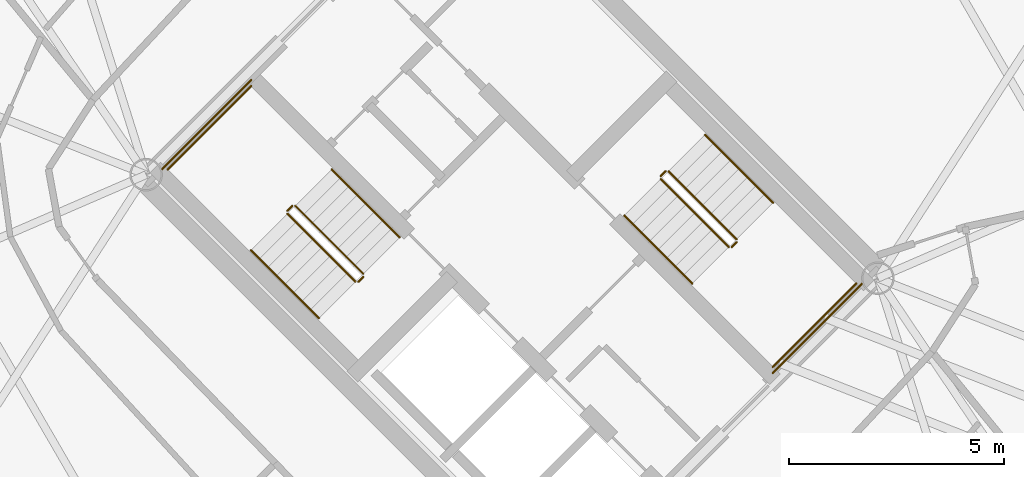
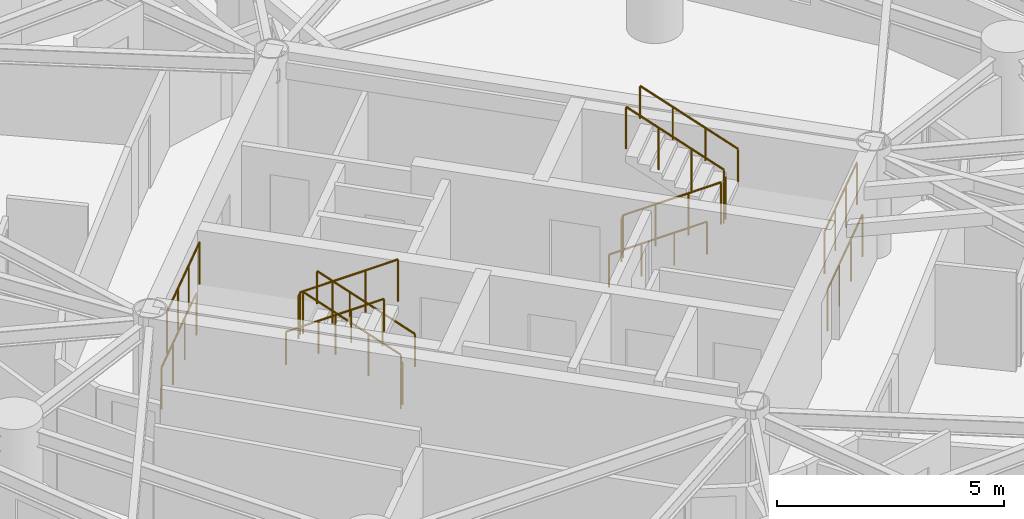
# One storey, part 17 of 17: 16 railings.
"""IFC4 building model written with IfcOpenShell, lengths in metres."""

from ifc_helpers import new_model, si_unit, direction, frame, origin, origin_2d, place, context, subcontext, project, spatial, circle, extrude, material, type_object, element, save


model = new_model("IFC4")

# Units and contexts
model_context = context("Model", 3, precision=1e-05, world=origin(), true_north=direction((0.0, 1.0)))
body_context = subcontext(model_context, "Body", "Model", "MODEL_VIEW")
ifc_project = project(units=[si_unit("LENGTHUNIT", "METRE"), si_unit("AREAUNIT", "SQUARE_METRE"), si_unit("VOLUMEUNIT", "CUBIC_METRE"), si_unit("PLANEANGLEUNIT", "RADIAN"), si_unit("MASSUNIT", "GRAM", prefix="KILO")], contexts=[model_context])

# Site, building, storey
site_placement = place(None, origin())
site = spatial("IfcSite", under=ifc_project, at=site_placement, CompositionType="ELEMENT")
building_placement = place(site_placement, origin())
building = spatial("IfcBuilding", under=site, at=building_placement, Name="Cununo Teusaquillo Station Towers", CompositionType="ELEMENT")
storey_placement = place(building_placement, frame((0.0, 0.0, 183.610107421875)))
storey = spatial("IfcBuildingStorey", under=building, at=storey_placement, Name="L58", CompositionType="ELEMENT", Elevation=183.610107421875)

# Railings
ifc_material_1 = material(Name="Steel EN 10025-2 S355J2", Category="steel")
railing_type_1 = type_object("IfcRailingType", Name="RL-INT-GUARD", PredefinedType="GUARDRAIL", material=ifc_material_1)
railing_1_placement = place(storey_placement, frame((54.03515625, 23.39697265625, 0.16162109375)))
element("IfcRailing", 1, at=railing_1_placement, inside=storey, type_object=railing_type_1, Name="L58 ST-T2-1 stair guard 1", PredefinedType="GUARDRAIL", context=body_context, shape_type="SweptSolid", body=[
    extrude(circle(Radius=0.02392578125, at=origin_2d()), frame((0.0, 0.0, 1.1259765625), z_axis=(-0.612361259024, 0.612361259024, 0.500027376144), x_axis=(-0.707106781187, -0.707106781187, 0.0)), (0.0, 0.0, 1.0), 2.586181640625),
    extrude(circle(Radius=0.02099609375, at=origin_2d()), origin(), (0.0, 0.0, 1.0), 1.101806640625),
    extrude(circle(Radius=0.02099609375, at=origin_2d()), frame((-0.52783203125, 0.52783203125, 0.43115234375)), (0.0, 0.0, 1.0), 1.101806640625),
    extrude(circle(Radius=0.02099609375, at=origin_2d()), frame((-1.055908203125, 1.055908203125, 0.862060546875)), (0.0, 0.0, 1.0), 1.101806640625),
    extrude(circle(Radius=0.02099609375, at=origin_2d()), frame((-1.583740234375, 1.583740234375, 1.293212890625)), (0.0, 0.0, 1.0), 1.101806640625),
])
railing_2_placement = place(storey_placement, frame((52.380615234375, 24.980712890625, 1.454833984375)))
element("IfcRailing", 2, at=railing_2_placement, inside=storey, type_object=railing_type_1, Name="L58 ST-T2-1 stair guard 2", PredefinedType="GUARDRAIL", context=body_context, shape_type="SweptSolid", body=[
    extrude(circle(Radius=0.02392578125, at=origin_2d()), frame((0.0, 0.0, 1.1259765625), z_axis=(-0.7078691598, -0.706343579714, 0.0), x_axis=(0.706343579714, -0.7078691598, 0.0)), (0.0, 0.0, 1.0), 0.159912109375),
    extrude(circle(Radius=0.02099609375, at=origin_2d()), origin(), (0.0, 0.0, 1.0), 1.101806640625),
    extrude(circle(Radius=0.02099609375, at=origin_2d()), frame((-0.11328125, -0.113037109375, 0.0)), (0.0, 0.0, 1.0), 1.101806640625),
])
railing_3_placement = place(storey_placement, frame((51.426025390625, 27.77392578125, 1.454833984375)))
element("IfcRailing", 3, at=railing_3_placement, inside=storey, type_object=railing_type_1, Name="L58 ST-T2-1 stair guard 3", PredefinedType="GUARDRAIL", context=body_context, shape_type="SweptSolid", body=[
    extrude(circle(Radius=0.02392578125, at=origin_2d()), frame((0.0, 0.0, 1.1259765625), z_axis=(-0.707106781187, -0.707106781187, 0.0), x_axis=(0.707106781187, -0.707106781187, 0.0)), (0.0, 0.0, 1.0), 2.760009765625),
    extrude(circle(Radius=0.02099609375, at=origin_2d()), origin(), (0.0, 0.0, 1.0), 1.101806640625),
    extrude(circle(Radius=0.02099609375, at=origin_2d()), frame((-0.650634765625, -0.650634765625, 0.0)), (0.0, 0.0, 1.0), 1.101806640625),
    extrude(circle(Radius=0.02099609375, at=origin_2d()), frame((-1.301025390625, -1.301025390625, 0.0)), (0.0, 0.0, 1.0), 1.101806640625),
    extrude(circle(Radius=0.02099609375, at=origin_2d()), frame((-1.95166015625, -1.95166015625, 0.0)), (0.0, 0.0, 1.0), 1.101806640625),
])
railing_4_placement = place(storey_placement, frame((52.267333984375, 24.796875, 1.616455078125)))
element("IfcRailing", 4, at=railing_4_placement, inside=storey, type_object=railing_type_1, Name="L58 ST-T2-1 stair guard 4", PredefinedType="GUARDRAIL", context=body_context, shape_type="SweptSolid", body=[
    extrude(circle(Radius=0.02392578125, at=origin_2d()), frame((0.0, 0.0, 1.1259765625), z_axis=(0.612391349474, -0.612296961165, 0.500069261639), x_axis=(0.707052281454, 0.707161276719, 0.0)), (0.0, 0.0, 1.0), 2.586669921875),
    extrude(circle(Radius=0.02099609375, at=origin_2d()), origin(), (0.0, 0.0, 1.0), 1.101806640625),
    extrude(circle(Radius=0.02099609375, at=origin_2d()), frame((0.528076171875, -0.52783203125, 0.43115234375)), (0.0, 0.0, 1.0), 1.101806640625),
    extrude(circle(Radius=0.02099609375, at=origin_2d()), frame((1.055908203125, -1.055908203125, 0.8623046875)), (0.0, 0.0, 1.0), 1.101806640625),
    extrude(circle(Radius=0.02099609375, at=origin_2d()), frame((1.583984375, -1.583740234375, 1.29345703125)), (0.0, 0.0, 1.0), 1.101806640625),
])
railing_5_placement = place(storey_placement, frame((54.03515625, 23.326171875, 0.0)))
element("IfcRailing", 5, at=railing_5_placement, inside=storey, type_object=railing_type_1, Name="L58 ST-T2-1 stair guard 5", PredefinedType="GUARDRAIL", context=body_context, shape_type="SweptSolid", body=[
    extrude(circle(Radius=0.02392578125, at=origin_2d()), frame((0.0, 0.0, 1.1259765625), z_axis=(-0.707106781187, -0.707106781187, 0.0), x_axis=(0.707106781187, -0.707106781187, 0.0)), (0.0, 0.0, 1.0), 0.159912109375),
    extrude(circle(Radius=0.02099609375, at=origin_2d()), origin(), (0.0, 0.0, 1.0), 1.101806640625),
    extrude(circle(Radius=0.02099609375, at=origin_2d()), frame((-0.113037109375, -0.113037109375, 0.0)), (0.0, 0.0, 1.0), 1.101806640625),
])
railing_6_placement = place(storey_placement, frame((51.426025390625, 27.915283203125, 0.0)))
element("IfcRailing", 6, at=railing_6_placement, inside=storey, type_object=railing_type_1, Name="L58 ST-T2-1 stair guard 6", PredefinedType="GUARDRAIL", context=body_context, shape_type="SweptSolid", body=[
    extrude(circle(Radius=0.02392578125, at=origin_2d()), frame((0.0, 0.0, 1.1259765625), z_axis=(-0.707106781187, -0.707106781187, 0.0), x_axis=(0.707106781187, -0.707106781187, 0.0)), (0.0, 0.0, 1.0), 2.9599609375),
    extrude(circle(Radius=0.02099609375, at=origin_2d()), origin(), (0.0, 0.0, 1.0), 1.101806640625),
    extrude(circle(Radius=0.02099609375, at=origin_2d()), frame((-0.69775390625, -0.69775390625, 0.0)), (0.0, 0.0, 1.0), 1.101806640625),
    extrude(circle(Radius=0.02099609375, at=origin_2d()), frame((-1.395263671875, -1.395263671875, 0.0)), (0.0, 0.0, 1.0), 1.101806640625),
    extrude(circle(Radius=0.02099609375, at=origin_2d()), frame((-2.093017578125, -2.093017578125, 0.0)), (0.0, 0.0, 1.0), 1.101806640625),
])
railing_7_placement = place(storey_placement, frame((60.96484375, 25.60302734375, 0.16162109375)))
element("IfcRailing", 7, at=railing_7_placement, inside=storey, type_object=railing_type_1, Name="L58 ST-T2-2 stair guard 1", PredefinedType="GUARDRAIL", context=body_context, shape_type="SweptSolid", body=[
    extrude(circle(Radius=0.02392578125, at=origin_2d()), frame((0.0, 0.0, 1.1259765625), z_axis=(0.612361259024, -0.612361259024, 0.500027376144), x_axis=(0.707106781187, 0.707106781187, 0.0)), (0.0, 0.0, 1.0), 2.586181640625),
    extrude(circle(Radius=0.02099609375, at=origin_2d()), origin(), (0.0, 0.0, 1.0), 1.101806640625),
    extrude(circle(Radius=0.02099609375, at=origin_2d()), frame((0.52783203125, -0.52783203125, 0.43115234375)), (0.0, 0.0, 1.0), 1.101806640625),
    extrude(circle(Radius=0.02099609375, at=origin_2d()), frame((1.055908203125, -1.055908203125, 0.862060546875)), (0.0, 0.0, 1.0), 1.101806640625),
    extrude(circle(Radius=0.02099609375, at=origin_2d()), frame((1.583740234375, -1.583740234375, 1.293212890625)), (0.0, 0.0, 1.0), 1.101806640625),
])
railing_8_placement = place(storey_placement, frame((62.619384765625, 24.019287109375, 1.454833984375)))
element("IfcRailing", 8, at=railing_8_placement, inside=storey, type_object=railing_type_1, Name="L58 ST-T2-2 stair guard 2", PredefinedType="GUARDRAIL", context=body_context, shape_type="SweptSolid", body=[
    extrude(circle(Radius=0.02392578125, at=origin_2d()), frame((0.0, 0.0, 1.1259765625), z_axis=(0.7078691598, 0.706343579714, 0.0), x_axis=(-0.706343579714, 0.7078691598, 0.0)), (0.0, 0.0, 1.0), 0.159912109375),
    extrude(circle(Radius=0.02099609375, at=origin_2d()), origin(), (0.0, 0.0, 1.0), 1.101806640625),
    extrude(circle(Radius=0.02099609375, at=origin_2d()), frame((0.11328125, 0.113037109375, 0.0)), (0.0, 0.0, 1.0), 1.101806640625),
])
railing_9_placement = place(storey_placement, frame((63.573974609375, 21.22607421875, 1.454833984375)))
element("IfcRailing", 9, at=railing_9_placement, inside=storey, type_object=railing_type_1, Name="L58 ST-T2-2 stair guard 3", PredefinedType="GUARDRAIL", context=body_context, shape_type="SweptSolid", body=[
    extrude(circle(Radius=0.02392578125, at=origin_2d()), frame((0.0, 0.0, 1.1259765625), z_axis=(0.707106781187, 0.707106781187, 0.0), x_axis=(-0.707106781187, 0.707106781187, 0.0)), (0.0, 0.0, 1.0), 2.760009765625),
    extrude(circle(Radius=0.02099609375, at=origin_2d()), origin(), (0.0, 0.0, 1.0), 1.101806640625),
    extrude(circle(Radius=0.02099609375, at=origin_2d()), frame((0.650634765625, 0.650634765625, 0.0)), (0.0, 0.0, 1.0), 1.101806640625),
    extrude(circle(Radius=0.02099609375, at=origin_2d()), frame((1.301025390625, 1.301025390625, 0.0)), (0.0, 0.0, 1.0), 1.101806640625),
    extrude(circle(Radius=0.02099609375, at=origin_2d()), frame((1.95166015625, 1.95166015625, 0.0)), (0.0, 0.0, 1.0), 1.101806640625),
])
railing_10_placement = place(storey_placement, frame((62.732666015625, 24.203125, 1.616455078125)))
element("IfcRailing", 10, at=railing_10_placement, inside=storey, type_object=railing_type_1, Name="L58 ST-T2-2 stair guard 4", PredefinedType="GUARDRAIL", context=body_context, shape_type="SweptSolid", body=[
    extrude(circle(Radius=0.02392578125, at=origin_2d()), frame((0.0, 0.0, 1.1259765625), z_axis=(-0.612391349474, 0.612296961165, 0.500069261639), x_axis=(-0.707052281454, -0.707161276719, 0.0)), (0.0, 0.0, 1.0), 2.586669921875),
    extrude(circle(Radius=0.02099609375, at=origin_2d()), origin(), (0.0, 0.0, 1.0), 1.101806640625),
    extrude(circle(Radius=0.02099609375, at=origin_2d()), frame((-0.528076171875, 0.52783203125, 0.43115234375)), (0.0, 0.0, 1.0), 1.101806640625),
    extrude(circle(Radius=0.02099609375, at=origin_2d()), frame((-1.055908203125, 1.055908203125, 0.8623046875)), (0.0, 0.0, 1.0), 1.101806640625),
    extrude(circle(Radius=0.02099609375, at=origin_2d()), frame((-1.583984375, 1.583740234375, 1.29345703125)), (0.0, 0.0, 1.0), 1.101806640625),
])
railing_11_placement = place(storey_placement, frame((60.96484375, 25.673828125, 0.0)))
element("IfcRailing", 11, at=railing_11_placement, inside=storey, type_object=railing_type_1, Name="L58 ST-T2-2 stair guard 5", PredefinedType="GUARDRAIL", context=body_context, shape_type="SweptSolid", body=[
    extrude(circle(Radius=0.02392578125, at=origin_2d()), frame((0.0, 0.0, 1.1259765625), z_axis=(0.707106781187, 0.707106781187, 0.0), x_axis=(-0.707106781187, 0.707106781187, 0.0)), (0.0, 0.0, 1.0), 0.159912109375),
    extrude(circle(Radius=0.02099609375, at=origin_2d()), origin(), (0.0, 0.0, 1.0), 1.101806640625),
    extrude(circle(Radius=0.02099609375, at=origin_2d()), frame((0.113037109375, 0.113037109375, 0.0)), (0.0, 0.0, 1.0), 1.101806640625),
])
railing_12_placement = place(storey_placement, frame((63.573974609375, 21.084716796875, 0.0)))
element("IfcRailing", 12, at=railing_12_placement, inside=storey, type_object=railing_type_1, Name="L58 ST-T2-2 stair guard 6", PredefinedType="GUARDRAIL", context=body_context, shape_type="SweptSolid", body=[
    extrude(circle(Radius=0.02392578125, at=origin_2d()), frame((0.0, 0.0, 1.1259765625), z_axis=(0.707106781187, 0.707106781187, 0.0), x_axis=(-0.707106781187, 0.707106781187, 0.0)), (0.0, 0.0, 1.0), 2.9599609375),
    extrude(circle(Radius=0.02099609375, at=origin_2d()), origin(), (0.0, 0.0, 1.0), 1.101806640625),
    extrude(circle(Radius=0.02099609375, at=origin_2d()), frame((0.69775390625, 0.69775390625, 0.0)), (0.0, 0.0, 1.0), 1.101806640625),
    extrude(circle(Radius=0.02099609375, at=origin_2d()), frame((1.395263671875, 1.395263671875, 0.0)), (0.0, 0.0, 1.0), 1.101806640625),
    extrude(circle(Radius=0.02099609375, at=origin_2d()), frame((2.093017578125, 2.093017578125, 0.0)), (0.0, 0.0, 1.0), 1.101806640625),
])
ifc_material_2 = material(Name="Steel EN 10025-2 S355J2", Category="steel")
railing_type_2 = type_object("IfcRailingType", Name="RL-INT-HRAIL", PredefinedType="HANDRAIL", material=ifc_material_2)
railing_13_placement = place(storey_placement, frame((54.8837890625, 24.245361328125, 0.16162109375)))
element("IfcRailing", 13, at=railing_13_placement, inside=storey, type_object=railing_type_2, Name="L58 ST-T2-1 stair handrail 1", PredefinedType="HANDRAIL", context=body_context, shape_type="SweptSolid", body=[
    extrude(circle(Radius=0.02392578125, at=origin_2d()), frame((0.0, 0.0, 0.8759765625), z_axis=(-0.612384857071, 0.612384857071, 0.499969572735), x_axis=(-0.707106781187, -0.707106781187, 0.0)), (0.0, 0.0, 1.0), 2.586669921875),
    extrude(circle(Radius=0.02099609375, at=origin_2d()), origin(), (0.0, 0.0, 1.0), 0.851806640625),
    extrude(circle(Radius=0.02099609375, at=origin_2d()), frame((-0.528076171875, 0.528076171875, 0.43115234375)), (0.0, 0.0, 1.0), 0.851806640625),
    extrude(circle(Radius=0.02099609375, at=origin_2d()), frame((-1.055908203125, 1.055908203125, 0.862060546875)), (0.0, 0.0, 1.0), 0.851806640625),
    extrude(circle(Radius=0.02099609375, at=origin_2d()), frame((-1.583984375, 1.583984375, 1.293212890625)), (0.0, 0.0, 1.0), 0.851806640625),
])
railing_14_placement = place(storey_placement, frame((51.4189453125, 23.948486328125, 1.616455078125)))
element("IfcRailing", 14, at=railing_14_placement, inside=storey, type_object=railing_type_2, Name="L58 ST-T2-1 stair handrail 2", PredefinedType="HANDRAIL", context=body_context, shape_type="SweptSolid", body=[
    extrude(circle(Radius=0.02392578125, at=origin_2d()), frame((0.0, 0.0, 0.8759765625), z_axis=(0.612355957468, -0.612355957468, 0.500040361077), x_axis=(0.707106781187, 0.707106781187, 0.0)), (0.0, 0.0, 1.0), 2.586669921875),
    extrude(circle(Radius=0.02099609375, at=origin_2d()), origin(), (0.0, 0.0, 1.0), 0.851806640625),
    extrude(circle(Radius=0.02099609375, at=origin_2d()), frame((0.528076171875, -0.528076171875, 0.43115234375)), (0.0, 0.0, 1.0), 0.851806640625),
    extrude(circle(Radius=0.02099609375, at=origin_2d()), frame((1.055908203125, -1.055908203125, 0.8623046875)), (0.0, 0.0, 1.0), 0.851806640625),
    extrude(circle(Radius=0.02099609375, at=origin_2d()), frame((1.583984375, -1.583984375, 1.29345703125)), (0.0, 0.0, 1.0), 0.851806640625),
])
railing_15_placement = place(storey_placement, frame((60.1162109375, 24.754638671875, 0.16162109375)))
element("IfcRailing", 15, at=railing_15_placement, inside=storey, type_object=railing_type_2, Name="L58 ST-T2-2 stair handrail 1", PredefinedType="HANDRAIL", context=body_context, shape_type="SweptSolid", body=[
    extrude(circle(Radius=0.02392578125, at=origin_2d()), frame((0.0, 0.0, 0.8759765625), z_axis=(0.612384857071, -0.612384857071, 0.499969572735), x_axis=(0.707106781187, 0.707106781187, 0.0)), (0.0, 0.0, 1.0), 2.586669921875),
    extrude(circle(Radius=0.02099609375, at=origin_2d()), origin(), (0.0, 0.0, 1.0), 0.851806640625),
    extrude(circle(Radius=0.02099609375, at=origin_2d()), frame((0.528076171875, -0.528076171875, 0.43115234375)), (0.0, 0.0, 1.0), 0.851806640625),
    extrude(circle(Radius=0.02099609375, at=origin_2d()), frame((1.055908203125, -1.055908203125, 0.862060546875)), (0.0, 0.0, 1.0), 0.851806640625),
    extrude(circle(Radius=0.02099609375, at=origin_2d()), frame((1.583984375, -1.583984375, 1.293212890625)), (0.0, 0.0, 1.0), 0.851806640625),
])
railing_16_placement = place(storey_placement, frame((63.5810546875, 25.051513671875, 1.616455078125)))
element("IfcRailing", 16, at=railing_16_placement, inside=storey, type_object=railing_type_2, Name="L58 ST-T2-2 stair handrail 2", PredefinedType="HANDRAIL", context=body_context, shape_type="SweptSolid", body=[
    extrude(circle(Radius=0.02392578125, at=origin_2d()), frame((0.0, 0.0, 0.8759765625), z_axis=(-0.612355957468, 0.612355957468, 0.500040361077), x_axis=(-0.707106781187, -0.707106781187, 0.0)), (0.0, 0.0, 1.0), 2.586669921875),
    extrude(circle(Radius=0.02099609375, at=origin_2d()), origin(), (0.0, 0.0, 1.0), 0.851806640625),
    extrude(circle(Radius=0.02099609375, at=origin_2d()), frame((-0.528076171875, 0.528076171875, 0.43115234375)), (0.0, 0.0, 1.0), 0.851806640625),
    extrude(circle(Radius=0.02099609375, at=origin_2d()), frame((-1.055908203125, 1.055908203125, 0.8623046875)), (0.0, 0.0, 1.0), 0.851806640625),
    extrude(circle(Radius=0.02099609375, at=origin_2d()), frame((-1.583984375, 1.583984375, 1.29345703125)), (0.0, 0.0, 1.0), 0.851806640625),
])

save(model, "model.ifc")
